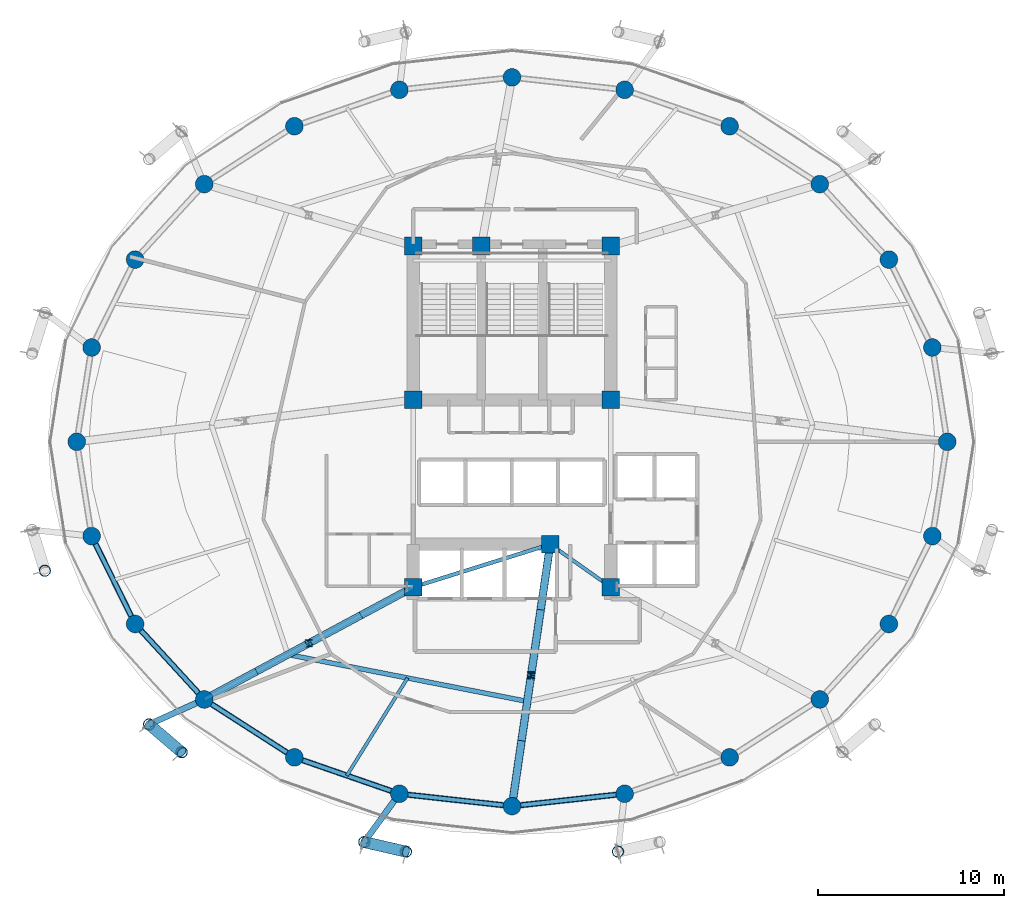
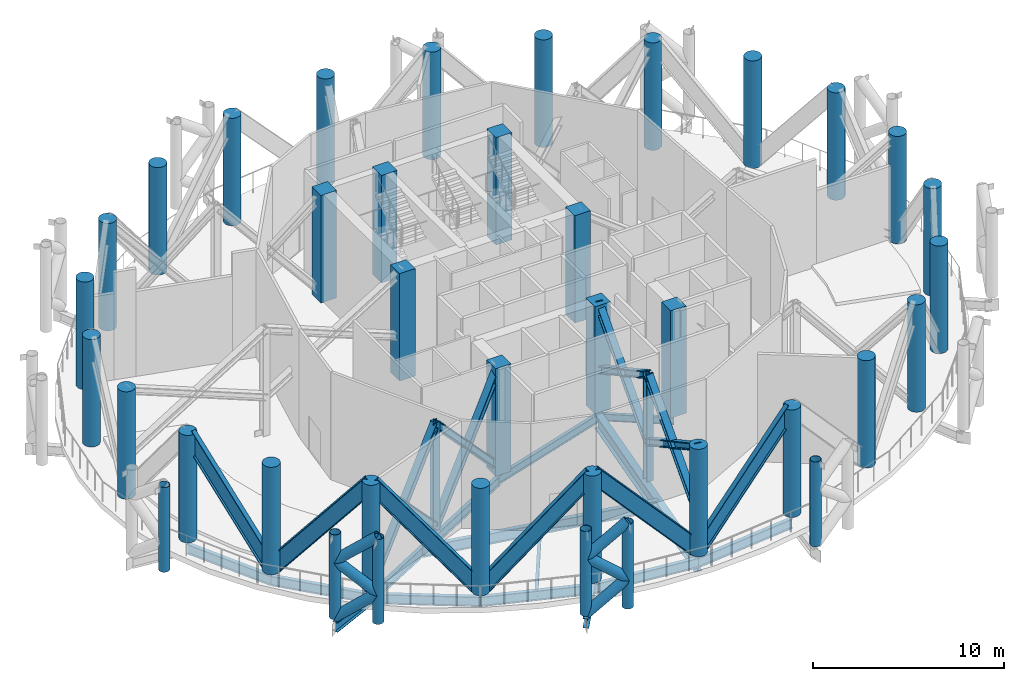
# One storey, part 1 of 18: 32 columns, 28 members, 14 beams.
"""IFC4 building model written with IfcOpenShell, lengths in metres."""

from ifc_helpers import new_model, si_unit, direction, frame, origin, origin_2d, place, context, subcontext, project, spatial, rectangle, circle, hollow_circle, i_section, extrude, material, material_profile, profile_set, type_object, element, save


model = new_model("IFC4")

# Units and contexts
model_context = context("Model", 3, precision=1e-05, world=origin(), true_north=direction((0.0, 1.0)))
body_context = subcontext(model_context, "Body", "Model", "MODEL_VIEW")
ifc_project = project(units=[si_unit("LENGTHUNIT", "METRE"), si_unit("AREAUNIT", "SQUARE_METRE"), si_unit("VOLUMEUNIT", "CUBIC_METRE"), si_unit("PLANEANGLEUNIT", "RADIAN"), si_unit("MASSUNIT", "GRAM", prefix="KILO")], contexts=[model_context])

# Site, building, storey
site_placement = place(None, origin())
site = spatial("IfcSite", under=ifc_project, at=site_placement, CompositionType="ELEMENT")
building_placement = place(site_placement, origin())
building = spatial("IfcBuilding", under=site, at=building_placement, Name="Nuhasar Tower", CompositionType="ELEMENT")
storey_placement = place(building_placement, frame((0.0, 0.0, 195.949951171875)))
storey = spatial("IfcBuildingStorey", under=building, at=storey_placement, Name="L48", CompositionType="ELEMENT", Elevation=195.949951171875)

# Columns
ifc_material_1 = material(Name="Concrete C65/80", Category="concrete")
ifc_material_profile_1 = material_profile(ifc_material_1, circle(Radius=0.47509765625, at=origin_2d()), Name="CFT950")
ifc_profile_set_1 = profile_set([ifc_material_profile_1], Name="Concrete C65/80")
column_type_1 = type_object("IfcColumnType", Name="COL-CFT-950", PredefinedType="COLUMN", material=ifc_profile_set_1)
for number, where, z_axis, x_axis, name in (
    (1, (62.35009765625, 26.800048828125, 0.0), (0.0, 0.0, 1.0), (1.0, 0.0, 0.0), "L48 Perimeter Composite Column TC-01"),
    (2, (61.553955078125, 31.860107421875, 0.0), (0.0, 0.0, 1.0), (1.0, 0.0, 0.0), "L48 Perimeter Composite Column TC-02"),
    (3, (59.221923828125, 36.574951171875, 0.0), (0.0, 0.0, 1.0), (1.0, 0.0, 0.0), "L48 Perimeter Composite Column TC-03"),
    (4, (55.510986328125, 40.6240234375, 0.0), (0.0, 0.0, 1.0), (1.0, 0.0, 0.0), "L48 Perimeter Composite Column TC-04"),
    (5, (50.675048828125, 43.73095703125, 0.0), (0.0, 0.0, 1.0), (1.0, 0.0, 0.0), "L48 Perimeter Composite Column TC-05"),
    (6, (45.04296875, 45.68408203125, 0.0), (0.0, 0.0, 1.0), (1.0, 0.0, 0.0), "L48 Perimeter Composite Column TC-06"),
    (7, (39.0, 46.35009765625, 0.0), (0.0, 0.0, 1.0), (1.0, 0.0, 0.0), "L48 Perimeter Composite Column TC-07"),
    (8, (32.95703125, 45.68408203125, 0.0), (0.0, 0.0, 1.0), (1.0, 0.0, 0.0), "L48 Perimeter Composite Column TC-08"),
    (9, (27.324951171875, 43.73095703125, 0.0), (0.0, 0.0, 1.0), (1.0, 0.0, 0.0), "L48 Perimeter Composite Column TC-09"),
    (10, (22.489013671875, 40.6240234375, 0.0), (0.0, 0.0, 1.0), (1.0, 0.0, 0.0), "L48 Perimeter Composite Column TC-10"),
    (11, (18.778076171875, 36.574951171875, 0.0), (0.0, 0.0, 1.0), (1.0, 0.0, 0.0), "L48 Perimeter Composite Column TC-11"),
    (12, (16.446044921875, 31.860107421875, 0.0), (0.0, 0.0, 1.0), (1.0, 0.0, 0.0), "L48 Perimeter Composite Column TC-12"),
    (13, (15.64990234375, 26.800048828125, 0.0), (0.0, 0.0, 1.0), (1.0, 0.0, 0.0), "L48 Perimeter Composite Column TC-13"),
    (14, (16.446044921875, 21.739990234375, 0.0), (0.0, 0.0, 1.0), (1.0, 0.0, 0.0), "L48 Perimeter Composite Column TC-14"),
    (15, (18.778076171875, 17.02490234375, 0.0), (0.0, 0.0, 1.0), (1.0, 0.0, 0.0), "L48 Perimeter Composite Column TC-15"),
    (16, (22.489013671875, 12.97607421875, 0.0), (0.0, 0.0, 1.0), (1.0, 0.0, 0.0), "L48 Perimeter Composite Column TC-16"),
    (17, (27.324951171875, 9.868896484375, 0.0), (0.0, 0.0, 1.0), (1.0, 0.0, 0.0), "L48 Perimeter Composite Column TC-17"),
    (18, (32.95703125, 7.916015625, 0.0), (0.0, 0.0, 1.0), (1.0, 0.0, 0.0), "L48 Perimeter Composite Column TC-18"),
    (19, (39.0, 7.25, 0.0), (0.0, 0.0, 1.0), (1.0, 0.0, 0.0), "L48 Perimeter Composite Column TC-19"),
    (20, (45.04296875, 7.916015625, 0.0), (0.0, 0.0, 1.0), (1.0, 0.0, 0.0), "L48 Perimeter Composite Column TC-20"),
    (21, (50.675048828125, 9.868896484375, 0.0), (0.0, 0.0, 1.0), (1.0, 0.0, 0.0), "L48 Perimeter Composite Column TC-21"),
    (22, (55.510986328125, 12.97607421875, 0.0), (0.0, 0.0, 1.0), (1.0, 0.0, 0.0), "L48 Perimeter Composite Column TC-22"),
    (23, (59.221923828125, 17.02490234375, 0.0), (0.0, 0.0, 1.0), (1.0, 0.0, 0.0), "L48 Perimeter Composite Column TC-23"),
    (24, (61.553955078125, 21.739990234375, 0.0), (0.0, 0.0, 1.0), (1.0, 0.0, 0.0), "L48 Perimeter Composite Column TC-24"),
):
    element("IfcColumn", number, at=place(storey_placement, frame(where, z_axis=z_axis, x_axis=x_axis)), inside=storey, type_object=column_type_1, Name=name, PredefinedType="COLUMN", context=body_context, shape_type="SweptSolid", body=[
        extrude(circle(Radius=0.47509765625, at=origin_2d()), origin(), (0.0, 0.0, 1.0), 6.880126953125),
    ])
ifc_material_profile_2 = material_profile(ifc_material_1, rectangle(XDim=0.949951171875, YDim=0.949951171875, at=origin_2d()), Name="RC950X950")
ifc_profile_set_2 = profile_set([ifc_material_profile_2], Name="Concrete C65/80")
column_type_2 = type_object("IfcColumnType", Name="PIL-RC-950", PredefinedType="PILASTER", material=ifc_profile_set_2)
for number, where, z_axis, x_axis, name in (
    (25, (33.699951171875, 19.0, 0.0), (0.0, 0.0, 1.0), (1.0, 0.0, 0.0), "L48 Core Boundary Pilaster CC-01"),
    (26, (41.050048828125, 21.300048828125, 0.0), (0.0, 0.0, 1.0), (1.0, 0.0, 0.0), "L48 Core Boundary Pilaster CC-02"),
    (27, (44.300048828125, 19.0, 0.0), (0.0, 0.0, 1.0), (1.0, 0.0, 0.0), "L48 Core Boundary Pilaster CC-03"),
    (28, (44.300048828125, 29.050048828125, 0.0), (0.0, 0.0, 1.0), (1.0, 0.0, 0.0), "L48 Core Boundary Pilaster CC-04"),
    (29, (44.300048828125, 37.300048828125, 0.0), (0.0, 0.0, 1.0), (1.0, 0.0, 0.0), "L48 Core Boundary Pilaster CC-05"),
    (30, (37.35009765625, 37.300048828125, 0.0), (0.0, 0.0, 1.0), (1.0, 0.0, 0.0), "L48 Core Boundary Pilaster CC-06"),
    (31, (33.699951171875, 37.300048828125, 0.0), (0.0, 0.0, 1.0), (1.0, 0.0, 0.0), "L48 Core Boundary Pilaster CC-07"),
    (32, (33.699951171875, 29.050048828125, 0.0), (0.0, 0.0, 1.0), (1.0, 0.0, 0.0), "L48 Core Boundary Pilaster CC-08"),
):
    element("IfcColumn", number, at=place(storey_placement, frame(where, z_axis=z_axis, x_axis=x_axis)), inside=storey, type_object=column_type_2, Name=name, PredefinedType="PILASTER", context=body_context, shape_type="SweptSolid", body=[
        extrude(rectangle(XDim=0.949951171875, YDim=0.949951171875, at=origin_2d()), origin(), (0.0, 0.0, 1.0), 6.880126953125),
    ])

# Members
ifc_material_2 = material(Name="Steel S460", Category="steel")
ifc_material_profile_3 = material_profile(ifc_material_2, i_section(OverallWidth=0.306884765625, OverallDepth=0.927001953125, WebThickness=0.019287109375, FlangeThickness=0.031982421875, at=origin_2d()), Name="W36X194")
ifc_profile_set_3 = profile_set([ifc_material_profile_3], Name="Steel S460")
member_type_1 = type_object("IfcMemberType", Name="BLT-DIAG-W36B", PredefinedType="CHORD", material=ifc_profile_set_3)
member_1_placement = place(storey_placement, frame((18.778076171875, 17.02490234375, 0.150146484375), z_axis=(-0.276830136855, 0.559717382022, 0.781077158539), x_axis=(-0.896358804966, -0.443329327657, 0.0)))
element("IfcMember", 33, at=member_1_placement, inside=storey, type_object=member_type_1, Name="L48 Belt Truss Diagonal 14", PredefinedType="CHORD", context=body_context, shape_type="SweptSolid", body=[
    extrude(i_section(OverallWidth=0.306884765625, OverallDepth=0.927001953125, WebThickness=0.019287109375, FlangeThickness=0.031982421875, at=origin_2d()), origin(), (0.0, 0.0, 1.0), 8.424072265625),
])
member_2_placement = place(storey_placement, frame((18.778076171875, 17.02490234375, 0.150146484375), z_axis=(0.432975435462, -0.47239898827, 0.76770532639), x_axis=(0.737198423262, 0.675676316545, 0.0)))
element("IfcMember", 34, at=member_2_placement, inside=storey, type_object=member_type_1, Name="L48 Belt Truss Diagonal 15", PredefinedType="CHORD", context=body_context, shape_type="SweptSolid", body=[
    extrude(i_section(OverallWidth=0.306884765625, OverallDepth=0.927001953125, WebThickness=0.019287109375, FlangeThickness=0.031982421875, at=origin_2d()), origin(), (0.0, 0.0, 1.0), 8.57080078125),
])
member_3_placement = place(storey_placement, frame((27.324951171875, 9.868896484375, 0.150146484375), z_axis=(-0.553501309956, 0.355634651243, 0.753100454596), x_axis=(-0.540555789955, -0.841308170616, 0.0)))
element("IfcMember", 35, at=member_3_placement, inside=storey, type_object=member_type_1, Name="L48 Belt Truss Diagonal 16", PredefinedType="CHORD", context=body_context, shape_type="SweptSolid", body=[
    extrude(i_section(OverallWidth=0.306884765625, OverallDepth=0.927001953125, WebThickness=0.019287109375, FlangeThickness=0.031982421875, at=origin_2d()), origin(), (0.0, 0.0, 1.0), 8.737060546875),
])
member_4_placement = place(storey_placement, frame((27.324951171875, 9.868896484375, 0.150146484375), z_axis=(0.634348302799, -0.219955441245, 0.741095024003), x_axis=(0.327607076458, 0.944814057608, 0.0)))
element("IfcMember", 36, at=member_4_placement, inside=storey, type_object=member_type_1, Name="L48 Belt Truss Diagonal 17", PredefinedType="CHORD", context=body_context, shape_type="SweptSolid", body=[
    extrude(i_section(OverallWidth=0.306884765625, OverallDepth=0.927001953125, WebThickness=0.019287109375, FlangeThickness=0.031982421875, at=origin_2d()), origin(), (0.0, 0.0, 1.0), 8.87841796875),
])
for number, where, z_axis, x_axis, name in (
    (37, (39.0, 7.25, 0.150146484375), (-0.674549129538, 0.074344296436, 0.734476955001), (-0.109549974015, -0.993981289157, 0.0), "L48 Belt Truss Diagonal 18"),
    (38, (39.0, 7.25, 0.150146484375), (0.674549129538, 0.074344296436, 0.734476955001), (-0.109549974015, 0.993981289157, 0.0), "L48 Belt Truss Diagonal 19"),
):
    element("IfcMember", number, at=place(storey_placement, frame(where, z_axis=z_axis, x_axis=x_axis)), inside=storey, type_object=member_type_1, Name=name, PredefinedType="CHORD", context=body_context, shape_type="SweptSolid", body=[
        extrude(i_section(OverallWidth=0.306884765625, OverallDepth=0.927001953125, WebThickness=0.019287109375, FlangeThickness=0.031982421875, at=origin_2d()), origin(), (0.0, 0.0, 1.0), 8.95849609375),
    ])

# Beams
ifc_material_3 = material(Name="Steel S355", Category="steel")
ifc_material_profile_4 = material_profile(ifc_material_3, i_section(OverallWidth=0.25390625, OverallDepth=0.68408203125, WebThickness=0.012451171875, FlangeThickness=0.018798828125, at=origin_2d()), Name="W27X94")
ifc_profile_set_4 = profile_set([ifc_material_profile_4], Name="Steel S355")
beam_type_1 = type_object("IfcBeamType", Name="BM-INRING-W27X94", PredefinedType="BEAM", material=ifc_profile_set_4)
beam_1_placement = place(storey_placement, frame((26.972900390625, 15.385986328125, -0.69189453125), z_axis=(0.981359637088, -0.192180286956, 0.0), x_axis=(0.192180286956, 0.981359637088, 0.0)))
element("IfcBeam", 39, at=beam_1_placement, inside=storey, type_object=beam_type_1, Name="L48 Inner Header Beam 01", PredefinedType="BEAM", context=body_context, shape_type="SweptSolid", body=[
    extrude(i_section(OverallWidth=0.25390625, OverallDepth=0.68408203125, WebThickness=0.012451171875, FlangeThickness=0.018798828125, at=origin_2d()), origin(), (0.0, 0.0, 1.0), 13.09130859375),
])
ifc_material_profile_5 = material_profile(ifc_material_3, i_section(OverallWidth=0.177978515625, OverallDepth=0.406005859375, WebThickness=0.0078125, FlangeThickness=0.0126953125, at=origin_2d()), Name="W16X40")
ifc_profile_set_5 = profile_set([ifc_material_profile_5], Name="Steel S355")
beam_type_2 = type_object("IfcBeamType", Name="BM-JST-W16X40", PredefinedType="JOIST", material=ifc_profile_set_5)
beam_2_placement = place(storey_placement, frame((33.39697265625, 14.1279296875, -0.552978515625), z_axis=(-0.528139463011, -0.849157645912, 0.0), x_axis=(0.849157645912, -0.528139463011, 0.0)))
element("IfcBeam", 40, at=beam_2_placement, inside=storey, type_object=beam_type_2, Name="L48 Secondary Floor Joist 01", PredefinedType="JOIST", context=body_context, shape_type="SweptSolid", body=[
    extrude(i_section(OverallWidth=0.177978515625, OverallDepth=0.406005859375, WebThickness=0.0078125, FlangeThickness=0.0126953125, at=origin_2d()), origin(), (0.0, 0.0, 1.0), 6.164794921875),
])
ifc_material_profile_6 = material_profile(ifc_material_3, i_section(OverallWidth=0.419921875, OverallDepth=0.931884765625, WebThickness=0.021240234375, FlangeThickness=0.03662109375, at=origin_2d()), Name="W36X262")
ifc_profile_set_6 = profile_set([ifc_material_profile_6], Name="Steel S355")
beam_type_3 = type_object("IfcBeamType", Name="BM-POD-W36X262", PredefinedType="BEAM", material=ifc_profile_set_6)
beam_3_placement = place(storey_placement, frame((41.050048828125, 21.300048828125, -0.81591796875), z_axis=(-0.144381604017, -0.989522082837, 0.0), x_axis=(0.989522082837, -0.144381604017, 0.0)))
element("IfcBeam", 41, at=beam_3_placement, inside=storey, type_object=beam_type_3, Name="L48 Radial Floor Girder 02", PredefinedType="BEAM", context=body_context, shape_type="SweptSolid", body=[
    extrude(i_section(OverallWidth=0.419921875, OverallDepth=0.931884765625, WebThickness=0.021240234375, FlangeThickness=0.03662109375, at=origin_2d()), origin(), (0.0, 0.0, 1.0), 14.19873046875),
])
ifc_material_profile_7 = material_profile(ifc_material_3, i_section(OverallWidth=0.18994140625, OverallDepth=0.45703125, WebThickness=0.009033203125, FlangeThickness=0.014404296875, at=origin_2d()), Name="W18X50")
ifc_profile_set_7 = profile_set([ifc_material_profile_7], Name="Steel S355")
beam_type_4 = type_object("IfcBeamType", Name="BM-RAD-W18X50", PredefinedType="BEAM", material=ifc_profile_set_7)
beam_4_placement = place(storey_placement, frame((41.050048828125, 21.300048828125, -0.578857421875), z_axis=(0.816265428953, -0.577677028708, 0.0), x_axis=(0.577677028708, 0.816265428953, 0.0)))
element("IfcBeam", 42, at=beam_4_placement, inside=storey, type_object=beam_type_4, Name="L48 Core Ring Girder 2", PredefinedType="BEAM", context=body_context, shape_type="SweptSolid", body=[
    extrude(i_section(OverallWidth=0.18994140625, OverallDepth=0.45703125, WebThickness=0.009033203125, FlangeThickness=0.014404296875, at=origin_2d()), origin(), (0.0, 0.0, 1.0), 3.9814453125),
])
ifc_material_profile_8 = material_profile(ifc_material_3, i_section(OverallWidth=0.208984375, OverallDepth=0.532958984375, WebThickness=0.01025390625, FlangeThickness=0.015625, at=origin_2d()), Name="W21X62")
ifc_profile_set_8 = profile_set([ifc_material_profile_8], Name="Steel S355")
beam_type_5 = type_object("IfcBeamType", Name="BM-RAD-W21X62", PredefinedType="BEAM", material=ifc_profile_set_8)
beam_5_placement = place(storey_placement, frame((33.699951171875, 19.0, -0.616943359375), z_axis=(0.954363709454, 0.298646798205, 0.0), x_axis=(-0.298646798205, 0.954363709454, 0.0)))
element("IfcBeam", 43, at=beam_5_placement, inside=storey, type_object=beam_type_5, Name="L48 Core Ring Girder 1", PredefinedType="BEAM", context=body_context, shape_type="SweptSolid", body=[
    extrude(i_section(OverallWidth=0.208984375, OverallDepth=0.532958984375, WebThickness=0.01025390625, FlangeThickness=0.015625, at=origin_2d()), origin(), (0.0, 0.0, 1.0), 7.70166015625),
])
ifc_material_profile_9 = material_profile(ifc_material_3, i_section(OverallWidth=0.22900390625, OverallDepth=0.612060546875, WebThickness=0.011962890625, FlangeThickness=0.01953125, at=origin_2d()), Name="W24X84")
ifc_profile_set_9 = profile_set([ifc_material_profile_9], Name="Steel S355")
beam_type_6 = type_object("IfcBeamType", Name="BM-RAD-W24X84", PredefinedType="BEAM", material=ifc_profile_set_9)
beam_6_placement = place(storey_placement, frame((33.699951171875, 19.0, -0.656005859375), z_axis=(-0.880888386928, -0.473324043098, 0.0), x_axis=(0.473324043098, -0.880888386928, 0.0)))
element("IfcBeam", 44, at=beam_6_placement, inside=storey, type_object=beam_type_6, Name="L48 Radial Floor Girder 01", PredefinedType="BEAM", context=body_context, shape_type="SweptSolid", body=[
    extrude(i_section(OverallWidth=0.22900390625, OverallDepth=0.612060546875, WebThickness=0.011962890625, FlangeThickness=0.01953125, at=origin_2d()), origin(), (0.0, 0.0, 1.0), 12.726806640625),
])
ifc_material_profile_10 = material_profile(ifc_material_3, i_section(OverallWidth=0.22998046875, OverallDepth=0.616943359375, WebThickness=0.01318359375, FlangeThickness=0.022216796875, at=origin_2d()), Name="W24X94")
ifc_profile_set_10 = profile_set([ifc_material_profile_10], Name="Steel S355")
beam_type_7 = type_object("IfcBeamType", Name="BM-RING-W24X94", PredefinedType="SPANDREL", material=ifc_profile_set_10)
beam_7_placement = place(storey_placement, frame((16.446044921875, 21.739990234375, -0.658935546875), z_axis=(0.443329327657, -0.896358804966, 0.0), x_axis=(0.896358804966, 0.443329327657, 0.0)))
element("IfcBeam", 45, at=beam_7_placement, inside=storey, type_object=beam_type_7, Name="L48 Perimeter Ring Spandrel 14", PredefinedType="SPANDREL", context=body_context, shape_type="SweptSolid", body=[
    extrude(i_section(OverallWidth=0.22998046875, OverallDepth=0.616943359375, WebThickness=0.01318359375, FlangeThickness=0.022216796875, at=origin_2d()), origin(), (0.0, 0.0, 1.0), 5.26025390625),
])
beam_8_placement = place(storey_placement, frame((18.778076171875, 17.02490234375, -0.658935546875), z_axis=(0.675676316545, -0.737198423262, 0.0), x_axis=(0.737198423262, 0.675676316545, 0.0)))
element("IfcBeam", 46, at=beam_8_placement, inside=storey, type_object=beam_type_7, Name="L48 Perimeter Ring Spandrel 15", PredefinedType="SPANDREL", context=body_context, shape_type="SweptSolid", body=[
    extrude(i_section(OverallWidth=0.22998046875, OverallDepth=0.616943359375, WebThickness=0.01318359375, FlangeThickness=0.022216796875, at=origin_2d()), origin(), (0.0, 0.0, 1.0), 5.4921875),
])
beam_9_placement = place(storey_placement, frame((22.489013671875, 12.97607421875, -0.658935546875), z_axis=(0.841308170616, -0.540555789955, 0.0), x_axis=(0.540555789955, 0.841308170616, 0.0)))
element("IfcBeam", 47, at=beam_9_placement, inside=storey, type_object=beam_type_7, Name="L48 Perimeter Ring Spandrel 16", PredefinedType="SPANDREL", context=body_context, shape_type="SweptSolid", body=[
    extrude(i_section(OverallWidth=0.22998046875, OverallDepth=0.616943359375, WebThickness=0.01318359375, FlangeThickness=0.022216796875, at=origin_2d()), origin(), (0.0, 0.0, 1.0), 5.748046875),
])
beam_10_placement = place(storey_placement, frame((27.324951171875, 9.868896484375, -0.658935546875), z_axis=(0.944814057608, -0.327607076458, 0.0), x_axis=(0.327607076458, 0.944814057608, 0.0)))
element("IfcBeam", 48, at=beam_10_placement, inside=storey, type_object=beam_type_7, Name="L48 Perimeter Ring Spandrel 17", PredefinedType="SPANDREL", context=body_context, shape_type="SweptSolid", body=[
    extrude(i_section(OverallWidth=0.22998046875, OverallDepth=0.616943359375, WebThickness=0.01318359375, FlangeThickness=0.022216796875, at=origin_2d()), origin(), (0.0, 0.0, 1.0), 5.9609375),
])
for number, where, z_axis, x_axis, name in (
    (49, (32.95703125, 7.916015625, -0.658935546875), (0.993981289157, -0.109549974015, 0.0), (0.109549974015, 0.993981289157, 0.0), "L48 Perimeter Ring Spandrel 18"),
    (50, (39.0, 7.25, -0.658935546875), (0.993981289157, 0.109549974015, 0.0), (-0.109549974015, 0.993981289157, 0.0), "L48 Perimeter Ring Spandrel 19"),
):
    element("IfcBeam", number, at=place(storey_placement, frame(where, z_axis=z_axis, x_axis=x_axis)), inside=storey, type_object=beam_type_7, Name=name, PredefinedType="SPANDREL", context=body_context, shape_type="SweptSolid", body=[
        extrude(i_section(OverallWidth=0.22998046875, OverallDepth=0.616943359375, WebThickness=0.01318359375, FlangeThickness=0.022216796875, at=origin_2d()), origin(), (0.0, 0.0, 1.0), 6.07958984375),
    ])
ifc_material_profile_11 = material_profile(ifc_material_3, i_section(OverallWidth=0.323974609375, OverallDepth=0.611083984375, WebThickness=0.0126953125, FlangeThickness=0.01904296875, at=origin_2d()), Name="W24X104")
ifc_profile_set_11 = profile_set([ifc_material_profile_11], Name="Steel S355")
beam_type_8 = type_object("IfcBeamType", Name="BM-TIE-W24X104", PredefinedType="BEAM", material=ifc_profile_set_11)
beam_11_placement = place(storey_placement, frame((22.489013671875, 12.97607421875, -0.656005859375), z_axis=(-0.911211381786, -0.411939094653, 0.0), x_axis=(0.411939094653, -0.911211381786, 0.0)))
element("IfcBeam", 51, at=beam_11_placement, inside=storey, type_object=beam_type_8, Name="L48 Exoskeleton Node Tie Beam 08", PredefinedType="BEAM", context=body_context, shape_type="SweptSolid", body=[
    extrude(i_section(OverallWidth=0.323974609375, OverallDepth=0.611083984375, WebThickness=0.0126953125, FlangeThickness=0.01904296875, at=origin_2d()), origin(), (0.0, 0.0, 1.0), 3.248291015625),
])
beam_12_placement = place(storey_placement, frame((32.95703125, 7.916015625, -0.656005859375), z_axis=(-0.588149050751, -0.808752554309, 0.0), x_axis=(0.808752554309, -0.588149050751, 0.0)))
element("IfcBeam", 52, at=beam_12_placement, inside=storey, type_object=beam_type_8, Name="L48 Exoskeleton Node Tie Beam 09", PredefinedType="BEAM", context=body_context, shape_type="SweptSolid", body=[
    extrude(i_section(OverallWidth=0.323974609375, OverallDepth=0.611083984375, WebThickness=0.0126953125, FlangeThickness=0.01904296875, at=origin_2d()), origin(), (0.0, 0.0, 1.0), 3.205078125),
])

# Members
ifc_material_profile_12 = material_profile(ifc_material_2, hollow_circle(Radius=0.304931640625, WallThickness=0.025390625, at=origin_2d()), Name="HSS610X25.4")
ifc_profile_set_12 = profile_set([ifc_material_profile_12], Name="Steel S460")
member_type_2 = type_object("IfcMemberType", Name="EXO-BRONZE-610", PredefinedType="BRACE", material=ifc_profile_set_12)
for number, where, z_axis, x_axis, name in (
    (53, (13.93994140625, 19.87890625, 0.0), (0.0, 0.0, 1.0), (1.0, 0.0, 0.0), "L48 Exoskeleton Chord Column EC-07B"),
    (54, (19.529052734375, 11.637939453125, 0.0), (0.0, 0.0, 1.0), (1.0, 0.0, 0.0), "L48 Exoskeleton Chord Column EC-08A"),
    (55, (21.277099609375, 10.14306640625, 0.0), (0.0, 0.0, 1.0), (1.0, 0.0, 0.0), "L48 Exoskeleton Chord Column EC-08B"),
    (56, (31.072021484375, 5.323974609375, 0.0), (0.0, 0.0, 1.0), (1.0, 0.0, 0.0), "L48 Exoskeleton Chord Column EC-09A"),
    (57, (33.31396484375, 4.81005859375, 0.0), (0.0, 0.0, 1.0), (1.0, 0.0, 0.0), "L48 Exoskeleton Chord Column EC-09B"),
    (58, (44.68603515625, 4.81005859375, 0.0), (0.0, 0.0, 1.0), (1.0, 0.0, 0.0), "L48 Exoskeleton Chord Column EC-10A"),
):
    element("IfcMember", number, at=place(storey_placement, frame(where, z_axis=z_axis, x_axis=x_axis)), inside=storey, type_object=member_type_2, Name=name, PredefinedType="BRACE", context=body_context, shape_type="SweptSolid", body=[
        extrude(hollow_circle(Radius=0.304931640625, WallThickness=0.025390625, at=origin_2d()), origin(), (0.0, 0.0, 1.0), 5.429931640625),
    ])
for number, where, z_axis, x_axis, name in (
    (59, (19.529052734375, 11.637939453125, 0.0), (0.597239035792, -0.51073947153, 0.618426007173), (0.649925557156, 0.7599978751, 0.0), "L48 Bronze Diagrid Brace W1-08"),
    (60, (21.277099609375, 10.14306640625, 1.81005859375), (-0.597239035792, 0.51073947153, 0.618426007173), (-0.649925557156, -0.7599978751, 0.0), "L48 Bronze Diagrid Brace W2-08"),
    (61, (19.529052734375, 11.637939453125, 3.6201171875), (0.597269844636, -0.510765818255, 0.618374491381), (0.649925557156, 0.7599978751, 0.0), "L48 Bronze Diagrid Brace W3-08"),
):
    element("IfcMember", number, at=place(storey_placement, frame(where, z_axis=z_axis, x_axis=x_axis)), inside=storey, type_object=member_type_2, Name=name, PredefinedType="BRACE", context=body_context, shape_type="SweptSolid", body=[
        extrude(hollow_circle(Radius=0.304931640625, WallThickness=0.025390625, at=origin_2d()), origin(), (0.0, 0.0, 1.0), 2.9267578125),
    ])
for number, where, z_axis, x_axis, name in (
    (62, (31.072021484375, 5.323974609375, 0.0), (0.765979330811, -0.175583849652, 0.618422166899), (0.223432882746, 0.974719316987, 0.0), "L48 Bronze Diagrid Brace W1-09"),
    (63, (33.31396484375, 4.81005859375, 1.81005859375), (-0.765979330811, 0.175583849652, 0.618422166899), (-0.223432882746, -0.974719316987, 0.0), "L48 Bronze Diagrid Brace W2-09"),
):
    element("IfcMember", number, at=place(storey_placement, frame(where, z_axis=z_axis, x_axis=x_axis)), inside=storey, type_object=member_type_2, Name=name, PredefinedType="BRACE", context=body_context, shape_type="SweptSolid", body=[
        extrude(hollow_circle(Radius=0.304931640625, WallThickness=0.025390625, at=origin_2d()), origin(), (0.0, 0.0, 1.0), 2.927001953125),
    ])
member_5_placement = place(storey_placement, frame((31.072021484375, 5.323974609375, 3.6201171875), z_axis=(0.766018843708, -0.175592907112, 0.61837065103), x_axis=(0.223432882746, 0.974719316987, 0.0)))
element("IfcMember", 64, at=member_5_placement, inside=storey, type_object=member_type_2, Name="L48 Bronze Diagrid Brace W3-09", PredefinedType="BRACE", context=body_context, shape_type="SweptSolid", body=[
    extrude(hollow_circle(Radius=0.304931640625, WallThickness=0.025390625, at=origin_2d()), origin(), (0.0, 0.0, 1.0), 2.9267578125),
])
ifc_material_profile_13 = material_profile(ifc_material_2, i_section(OverallWidth=0.39892578125, OverallDepth=0.385986328125, WebThickness=0.02099609375, FlangeThickness=0.033203125, at=origin_2d()), Name="W14X176")
ifc_profile_set_13 = profile_set([ifc_material_profile_13], Name="Steel S460")
member_type_3 = type_object("IfcMemberType", Name="OUT-CHRD-W14C", PredefinedType="CHORD", material=ifc_profile_set_13)
for number, where, z_axis, x_axis, name in (
    (65, (28.094970703125, 15.988037109375, 0.0), (0.0, 0.0, 1.0), (1.0, 0.0, 0.0), "L48 Outrigger Truss Post 01"),
    (66, (40.02490234375, 14.27490234375, 0.0), (0.0, 0.0, 1.0), (1.0, 0.0, 0.0), "L48 Outrigger Truss Post 02"),
):
    element("IfcMember", number, at=place(storey_placement, frame(where, z_axis=z_axis, x_axis=x_axis)), inside=storey, type_object=member_type_3, Name=name, PredefinedType="CHORD", context=body_context, shape_type="SweptSolid", body=[
        extrude(i_section(OverallWidth=0.39892578125, OverallDepth=0.385986328125, WebThickness=0.02099609375, FlangeThickness=0.033203125, at=origin_2d()), origin(), (0.0, 0.0, 1.0), 6.880126953125),
    ])
ifc_material_profile_14 = material_profile(ifc_material_2, i_section(OverallWidth=0.406005859375, OverallDepth=0.416015625, WebThickness=0.02978515625, FlangeThickness=0.048095703125, at=origin_2d()), Name="W14X257")
ifc_profile_set_14 = profile_set([ifc_material_profile_14], Name="Steel S460")
member_type_4 = type_object("IfcMemberType", Name="OUT-DIAG-W14B", PredefinedType="STRUT", material=ifc_profile_set_14)
for number, where, z_axis, x_axis, name in (
    (67, (33.699951171875, 19.0, 0.150146484375), (-0.612348830585, -0.329059479176, 0.71885239712), (0.473356038205, -0.880871194384, 0.0), "L48 Outrigger Truss Diagonal IN1-01"),
    (68, (28.094970703125, 15.988037109375, 0.150146484375), (0.612348830585, 0.329059479176, 0.71885239712), (-0.473356038205, 0.880871194384, 0.0), "L48 Outrigger Truss Diagonal IN2-01"),
):
    element("IfcMember", number, at=place(storey_placement, frame(where, z_axis=z_axis, x_axis=x_axis)), inside=storey, type_object=member_type_4, Name=name, PredefinedType="STRUT", context=body_context, shape_type="SweptSolid", body=[
        extrude(i_section(OverallWidth=0.406005859375, OverallDepth=0.416015625, WebThickness=0.02978515625, FlangeThickness=0.048095703125, at=origin_2d()), origin(), (0.0, 0.0, 1.0), 9.1533203125),
    ])
for number, where, z_axis, x_axis, name in (
    (69, (28.094970703125, 15.988037109375, 0.150146484375), (-0.612415508556, -0.329037981407, 0.718805433808), (0.473292051692, -0.880905575987, 0.0), "L48 Outrigger Truss Diagonal OUT1-01"),
    (70, (22.489013671875, 12.97607421875, 0.150146484375), (0.612415508556, 0.329037981407, 0.718805433808), (-0.473292051692, 0.880905575987, 0.0), "L48 Outrigger Truss Diagonal OUT2-01"),
):
    element("IfcMember", number, at=place(storey_placement, frame(where, z_axis=z_axis, x_axis=x_axis)), inside=storey, type_object=member_type_4, Name=name, PredefinedType="STRUT", context=body_context, shape_type="SweptSolid", body=[
        extrude(i_section(OverallWidth=0.406005859375, OverallDepth=0.416015625, WebThickness=0.02978515625, FlangeThickness=0.048095703125, at=origin_2d()), origin(), (0.0, 0.0, 1.0), 9.15380859375),
    ])
for number, where, z_axis, x_axis, name in (
    (71, (41.050048828125, 21.300048828125, 2.449951171875), (-0.123662269474, -0.847435533247, 0.516295128874), (0.989519984662, -0.144395983166, 0.0), "L48 Outrigger Truss Diagonal IN1-02"),
    (72, (40.02490234375, 14.27490234375, 2.449951171875), (0.123662269474, 0.847435533247, 0.516295128874), (-0.989519984662, 0.144395983166, 0.0), "L48 Outrigger Truss Diagonal IN2-02"),
):
    element("IfcMember", number, at=place(storey_placement, frame(where, z_axis=z_axis, x_axis=x_axis)), inside=storey, type_object=member_type_4, Name=name, PredefinedType="STRUT", context=body_context, shape_type="SweptSolid", body=[
        extrude(i_section(OverallWidth=0.406005859375, OverallDepth=0.416015625, WebThickness=0.02978515625, FlangeThickness=0.048095703125, at=origin_2d()), origin(), (0.0, 0.0, 1.0), 8.289794921875),
    ])
for number, where, z_axis, x_axis, name in (
    (73, (40.02490234375, 14.27490234375, 2.449951171875), (-0.123636354912, -0.847430318302, 0.516309894702), (0.989524180884, -0.144367224277, 0.0), "L48 Outrigger Truss Diagonal OUT1-02"),
    (74, (39.0, 7.25, 2.449951171875), (0.123636354912, 0.847430318302, 0.516309894702), (-0.989524180884, 0.144367224277, 0.0), "L48 Outrigger Truss Diagonal OUT2-02"),
):
    element("IfcMember", number, at=place(storey_placement, frame(where, z_axis=z_axis, x_axis=x_axis)), inside=storey, type_object=member_type_4, Name=name, PredefinedType="STRUT", context=body_context, shape_type="SweptSolid", body=[
        extrude(i_section(OverallWidth=0.406005859375, OverallDepth=0.416015625, WebThickness=0.02978515625, FlangeThickness=0.048095703125, at=origin_2d()), origin(), (0.0, 0.0, 1.0), 8.28955078125),
    ])

save(model, "model.ifc")
